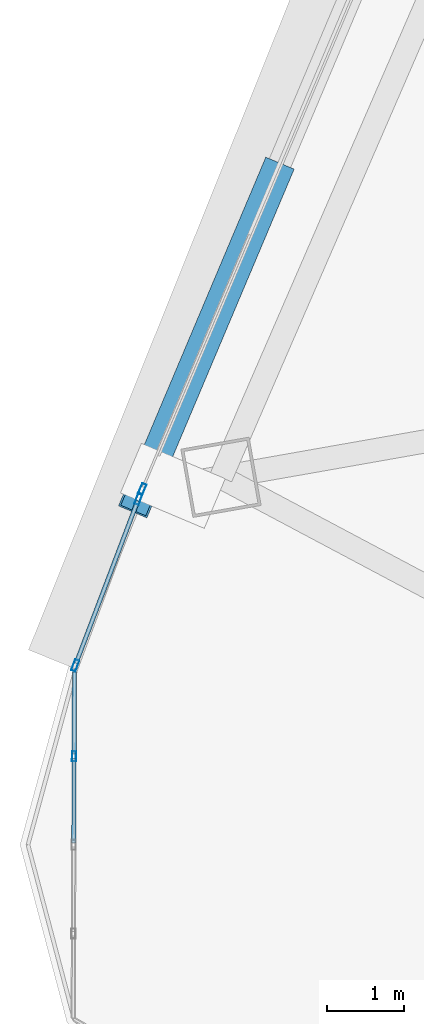
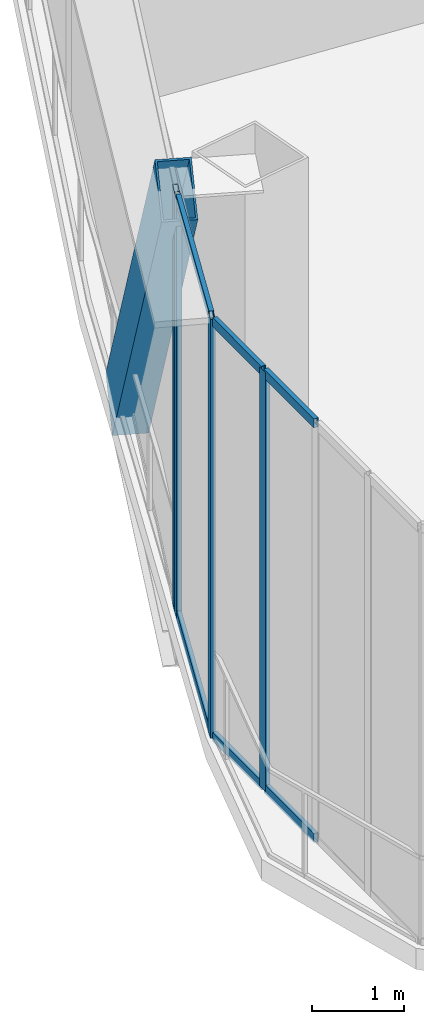
# One storey, part 4 of 38: 11 members, 3 elements without a shape of their own.
"""IFC4 building model written with IfcOpenShell, lengths in metres."""

from ifc_helpers import new_model, si_unit, direction, frame, origin, origin_2d, place, context, subcontext, project, spatial, hollow_rectangle, extrude, source, transform, mapped, material, layer, layer_set, material_profile, profile_set, type_object, element, aggregate, save


model = new_model("IFC4")

# Units and contexts
model_context = context("Model", 3, precision=1e-05, world=origin(), true_north=direction((0.0, 1.0)))
body_context = subcontext(model_context, "Body", "Model", "MODEL_VIEW")
ifc_project = project(units=[si_unit("LENGTHUNIT", "METRE"), si_unit("AREAUNIT", "SQUARE_METRE"), si_unit("VOLUMEUNIT", "CUBIC_METRE"), si_unit("PLANEANGLEUNIT", "RADIAN"), si_unit("MASSUNIT", "GRAM", prefix="KILO"), si_unit("THERMODYNAMICTEMPERATUREUNIT", "KELVIN"), si_unit("POWERUNIT", "WATT")], contexts=[model_context])

# Site, building, storey
site_placement = place(None, origin())
site = spatial("IfcSite", under=ifc_project, at=site_placement, CompositionType="ELEMENT")
building_placement = place(site_placement, origin())
building = spatial("IfcBuilding", under=site, at=building_placement, Name="Yunzhuo Pagoda Commons", CompositionType="ELEMENT")
storey_placement = place(building_placement, frame((0.0, 0.0, 218.9599609375)))
storey = spatial("IfcBuildingStorey", under=building, at=storey_placement, Name="L55", CompositionType="ELEMENT", Elevation=218.9599609375)

# Member
ifc_material_1 = material(Name="Structural steel Q355B", Category="steel")
ifc_material_profile_1 = material_profile(ifc_material_1, hollow_rectangle(XDim=0.39990234375, YDim=0.719970703125, WallThickness=0.02392578125, at=origin_2d()), Name="Structural steel Q355B")
ifc_profile_set_1 = profile_set([ifc_material_profile_1], Name="Structural steel Q355B")
member_type_1 = type_object("IfcMemberType", Name="M-DL2 Brace BOX 720x400x24", PredefinedType="BRACE", material=ifc_profile_set_1)
shared_shape_1 = source(origin(), body_context, "Body", "SweptSolid", [
    extrude(hollow_rectangle(XDim=0.39990234375, YDim=0.719970703125, WallThickness=0.02392578125, at=origin_2d()), origin(), (0.0, 0.0, 1.0), 7.281005859375),
])
member_1_placement = place(storey_placement, frame((13.4462890625, 31.30322265625, -0.280029296875), z_axis=(-0.231632611054, -0.548434132368, 0.80347142821), x_axis=(0.921206499707, -0.389074009536, 0.0)))
element("IfcMember", 1, at=member_1_placement, inside=storey, type_object=member_type_1, Name="L55 facade diamond brace F3.3R", PredefinedType="BRACE", context=body_context, shape_type="MappedRepresentation", body=[
    mapped(shared_shape_1, transform((0.0, 0.0, 0.0), scale=1.0)),
])

# Curtain wall, member
ifc_material_2 = material(Name="Anodized aluminium 6063-T6", Category="aluminium")
ifc_layer_1 = layer(ifc_material_2, 0.14990234375)
ifc_layer_set_1 = layer_set([ifc_layer_1], Name="Anodized aluminium 6063-T6")
curtain_wall_type_1 = type_object("IfcCurtainWallType", Name="CW-MID Mid-Zone Ribbon Curtain Wall", PredefinedType="NOTDEFINED", material=ifc_layer_set_1)
curtain_wall_1_placement = place(storey_placement, origin())
curtain_wall_1 = element("IfcCurtainWall", 2, at=curtain_wall_1_placement, inside=storey, type_object=curtain_wall_type_1, Name="L55 curtain wall CW-L55-F3B4", PredefinedType="NOTDEFINED")
ifc_material_profile_2 = material_profile(ifc_material_2, hollow_rectangle(XDim=0.06005859375, YDim=0.14990234375, WallThickness=0.00390625, at=origin_2d()), Name="Anodized aluminium 6063-T6")
ifc_profile_set_2 = profile_set([ifc_material_profile_2], Name="Anodized aluminium 6063-T6")
member_type_2 = type_object("IfcMemberType", Name="CW-MID-M Mullion RHS 150x60x4", PredefinedType="MULLION", material=ifc_profile_set_2)
shared_shape_2 = source(origin(), body_context, "Body", "SweptSolid", [
    extrude(hollow_rectangle(XDim=0.06005859375, YDim=0.14990234375, WallThickness=0.00390625, at=origin_2d()), origin(), (0.0, 0.0, 1.0), 5.570068359375),
])
member_2_placement = place(storey_placement, frame((11.771240234375, 27.33740234375, 0.0), z_axis=(0.0, 0.0, 1.0), x_axis=(0.921188379256, -0.389116910355, 0.0)))
member_2 = element("IfcMember", 3, at=member_2_placement, type_object=member_type_2, Name="CW mullion 2", PredefinedType="MULLION", context=body_context, shape_type="MappedRepresentation", body=[
    mapped(shared_shape_2, transform((0.0, 0.0, 0.0), scale=1.0)),
])
aggregate(curtain_wall_1, [member_2])

# Curtain wall, members
curtain_wall_2_placement = place(storey_placement, origin())
curtain_wall_2 = element("IfcCurtainWall", 4, at=curtain_wall_2_placement, inside=storey, type_object=curtain_wall_type_1, Name="L55 curtain wall CW-L55-F3B5", PredefinedType="NOTDEFINED")
member_3_placement = place(storey_placement, frame((11.72216796875, 27.211669921875, 0.0), z_axis=(0.0, 0.0, 1.0), x_axis=(0.934882697844, -0.354956816067, 0.0)))
member_3 = element("IfcMember", 5, at=member_3_placement, type_object=member_type_2, Name="CW mullion 1", PredefinedType="MULLION", context=body_context, shape_type="MappedRepresentation", body=[
    mapped(shared_shape_2, transform((0.0, 0.0, 0.0), scale=1.0)),
])
member_4_placement = place(storey_placement, frame((10.902099609375, 25.051025390625, 0.0), z_axis=(0.0, 0.0, 1.0), x_axis=(0.934882697844, -0.354956816067, 0.0)))
member_4 = element("IfcMember", 6, at=member_4_placement, type_object=member_type_2, Name="CW mullion 2", PredefinedType="MULLION", context=body_context, shape_type="MappedRepresentation", body=[
    mapped(shared_shape_2, transform((0.0, 0.0, 0.0), scale=1.0)),
])
ifc_material_profile_3 = material_profile(ifc_material_2, hollow_rectangle(XDim=0.054931640625, YDim=0.1298828125, WallThickness=0.00341796875, at=origin_2d()), Name="Anodized aluminium 6063-T6")
ifc_profile_set_3 = profile_set([ifc_material_profile_3], Name="Anodized aluminium 6063-T6")
member_type_3 = type_object("IfcMemberType", Name="CW-MID-T Transom RHS 130x55x3.5", PredefinedType="USERDEFINED", material=ifc_profile_set_3)
shared_shape_3 = source(origin(), body_context, "Body", "SweptSolid", [
    extrude(hollow_rectangle(XDim=0.054931640625, YDim=0.1298828125, WallThickness=0.00341796875, at=origin_2d()), origin(), (0.0, 0.0, 1.0), 2.2509765625),
])
member_5_placement = place(storey_placement, frame((11.711669921875, 27.18359375, 0.027587890625), z_axis=(-0.354971347098, -0.934877180564, 0.0), x_axis=(0.934877180564, -0.354971347098, 0.0)))
member_5 = element("IfcMember", 7, at=member_5_placement, type_object=member_type_3, Name="CW transom 1.1", ObjectType="TRANSOM", PredefinedType="USERDEFINED", context=body_context, shape_type="MappedRepresentation", body=[
    mapped(shared_shape_3, transform((0.0, 0.0, 0.0), scale=1.0)),
])
member_6_placement = place(storey_placement, frame((11.711669921875, 27.18359375, 5.54248046875), z_axis=(-0.354971347098, -0.934877180564, 0.0), x_axis=(0.934877180564, -0.354971347098, 0.0)))
member_6 = element("IfcMember", 8, at=member_6_placement, type_object=member_type_3, Name="CW transom 1.2", ObjectType="TRANSOM", PredefinedType="USERDEFINED", context=body_context, shape_type="MappedRepresentation", body=[
    mapped(shared_shape_3, transform((0.0, 0.0, 0.0), scale=1.0)),
])
aggregate(curtain_wall_2, [member_3, member_4, member_5, member_6])

ifc_layer_2 = layer(ifc_material_2, 0.1298828125)
ifc_layer_set_2 = layer_set([ifc_layer_2], Name="Anodized aluminium 6063-T6")
curtain_wall_type_2 = type_object("IfcCurtainWallType", Name="CW-VTX Rounded Corner Curtain Wall", PredefinedType="NOTDEFINED", material=ifc_layer_set_2)
curtain_wall_3_placement = place(storey_placement, origin())
curtain_wall_3 = element("IfcCurtainWall", 9, at=curtain_wall_3_placement, inside=storey, type_object=curtain_wall_type_2, Name="L55 curtain wall CW-L55-VTX1S1", PredefinedType="NOTDEFINED")
ifc_material_profile_4 = material_profile(ifc_material_2, hollow_rectangle(XDim=0.054931640625, YDim=0.1298828125, WallThickness=0.00341796875, at=origin_2d()), Name="Anodized aluminium 6063-T6")
ifc_profile_set_4 = profile_set([ifc_material_profile_4], Name="Anodized aluminium 6063-T6")
member_type_4 = type_object("IfcMemberType", Name="CW-VTX-M Mullion RHS 130x55x3.5", PredefinedType="MULLION", material=ifc_profile_set_4)
shared_shape_4 = source(origin(), body_context, "Body", "SweptSolid", [
    extrude(hollow_rectangle(XDim=0.054931640625, YDim=0.1298828125, WallThickness=0.00341796875, at=origin_2d()), origin(), (0.0, 0.0, 1.0), 5.570068359375),
])
member_7_placement = place(storey_placement, frame((10.88720703125, 23.8720703125, 0.0), z_axis=(0.0, 0.0, 1.0), x_axis=(0.999993578107, -0.003583817119, 0.0)))
member_7 = element("IfcMember", 10, at=member_7_placement, type_object=member_type_4, Name="CW mullion 2", PredefinedType="MULLION", context=body_context, shape_type="MappedRepresentation", body=[
    mapped(shared_shape_4, transform((0.0, 0.0, 0.0), scale=1.0)),
])
ifc_material_profile_5 = material_profile(ifc_material_2, hollow_rectangle(XDim=0.054931640625, YDim=0.1201171875, WallThickness=0.00341796875, at=origin_2d()), Name="Anodized aluminium 6063-T6")
ifc_profile_set_5 = profile_set([ifc_material_profile_5], Name="Anodized aluminium 6063-T6")
member_type_5 = type_object("IfcMemberType", Name="CW-VTX-T Transom RHS 120x55x3.5", PredefinedType="USERDEFINED", material=ifc_profile_set_5)
shared_shape_5 = source(origin(), body_context, "Body", "SweptSolid", [
    extrude(hollow_rectangle(XDim=0.054931640625, YDim=0.1201171875, WallThickness=0.00341796875, at=origin_2d()), origin(), (0.0, 0.0, 1.0), 1.068359375),
])
member_8_placement = place(storey_placement, frame((10.89111328125, 24.968017578125, 0.027587890625), z_axis=(-0.00365628269, -0.999993315776, 0.0), x_axis=(0.999993315776, -0.00365628269, 0.0)))
member_8 = element("IfcMember", 11, at=member_8_placement, type_object=member_type_5, Name="CW transom 1.1", ObjectType="TRANSOM", PredefinedType="USERDEFINED", context=body_context, shape_type="MappedRepresentation", body=[
    mapped(shared_shape_5, transform((0.0, 0.0, 0.0), scale=1.0)),
])
member_9_placement = place(storey_placement, frame((10.89111328125, 24.968017578125, 5.54248046875), z_axis=(-0.00365628269, -0.999993315776, 0.0), x_axis=(0.999993315776, -0.00365628269, 0.0)))
member_9 = element("IfcMember", 12, at=member_9_placement, type_object=member_type_5, Name="CW transom 1.2", ObjectType="TRANSOM", PredefinedType="USERDEFINED", context=body_context, shape_type="MappedRepresentation", body=[
    mapped(shared_shape_5, transform((0.0, 0.0, 0.0), scale=1.0)),
])
shared_shape_6 = source(origin(), body_context, "Body", "SweptSolid", [
    extrude(hollow_rectangle(XDim=0.054931640625, YDim=0.1201171875, WallThickness=0.00341796875, at=origin_2d()), origin(), (0.0, 0.0, 1.0), 1.095947265625),
])
member_10_placement = place(storey_placement, frame((10.886962890625, 23.844482421875, 0.027587890625), z_axis=(-0.003564245571, -0.999993648057, 0.0), x_axis=(0.999993648057, -0.003564245571, 0.0)))
member_10 = element("IfcMember", 13, at=member_10_placement, type_object=member_type_5, Name="CW transom 2.1", ObjectType="TRANSOM", PredefinedType="USERDEFINED", context=body_context, shape_type="MappedRepresentation", body=[
    mapped(shared_shape_6, transform((0.0, 0.0, 0.0), scale=1.0)),
])
member_11_placement = place(storey_placement, frame((10.886962890625, 23.844482421875, 5.54248046875), z_axis=(-0.003564245571, -0.999993648057, 0.0), x_axis=(0.999993648057, -0.003564245571, 0.0)))
member_11 = element("IfcMember", 14, at=member_11_placement, type_object=member_type_5, Name="CW transom 2.2", ObjectType="TRANSOM", PredefinedType="USERDEFINED", context=body_context, shape_type="MappedRepresentation", body=[
    mapped(shared_shape_6, transform((0.0, 0.0, 0.0), scale=1.0)),
])
aggregate(curtain_wall_3, [member_7, member_8, member_9, member_10, member_11])

save(model, "model.ifc")
